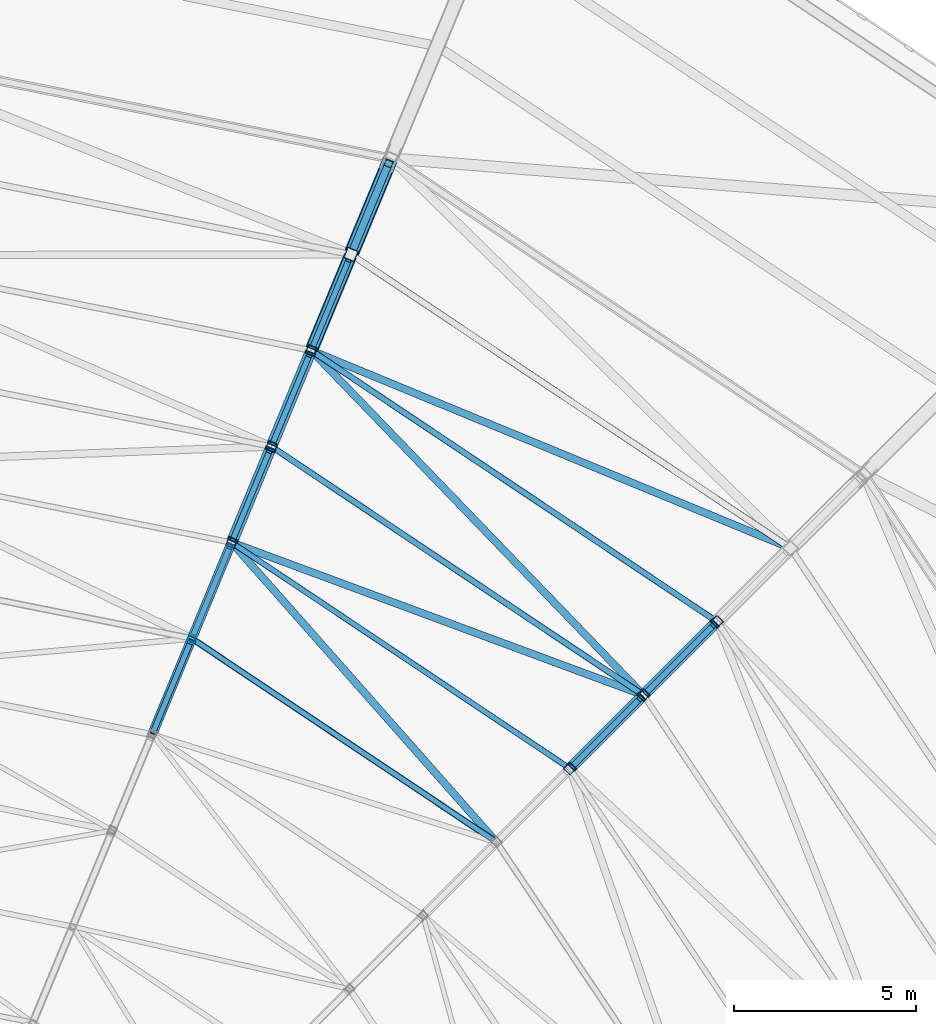
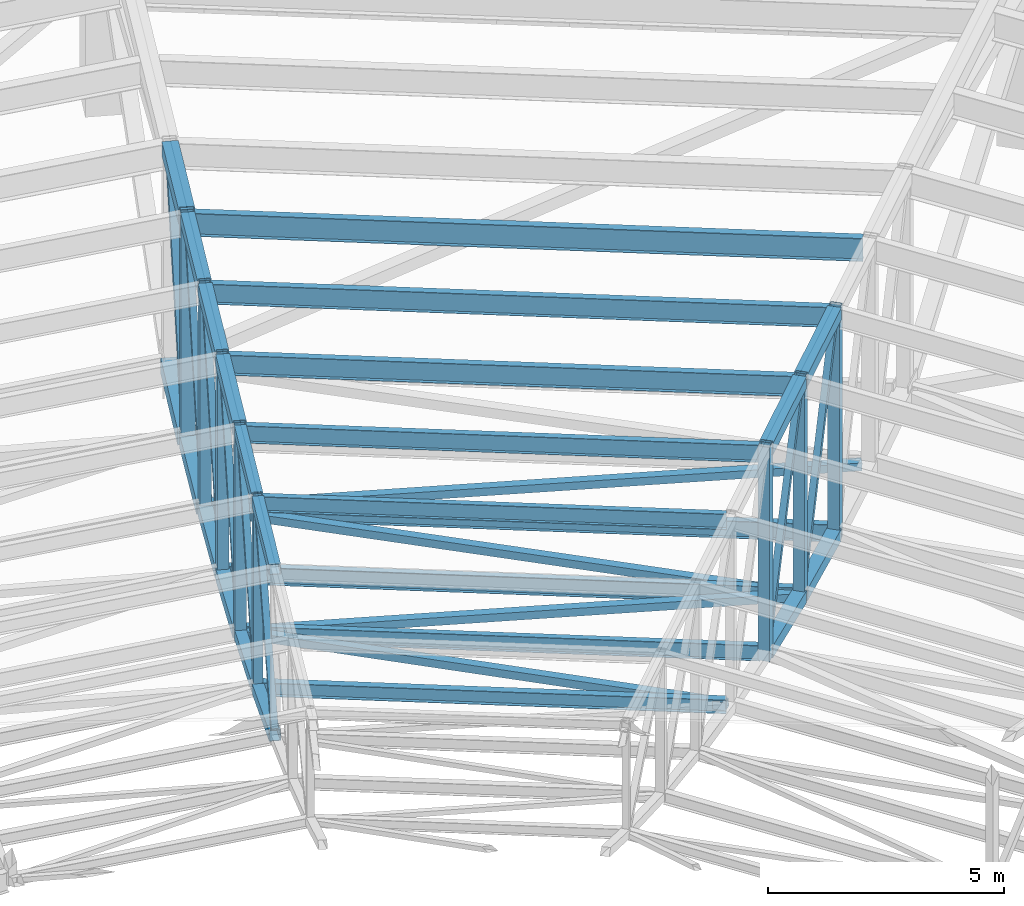
# One storey, part 102 of 278: 24 beams, 21 members.
"""IFC4 building model written with IfcOpenShell, lengths in metres."""

import ifcopenshell
import ifcopenshell.guid

model = None  # the IFC model being written
_history = None  # IfcOwnerHistory: only IFC2X3 demands one
_inside = {}  # id of a spatial element -> (the spatial element, [elements in it])
_under = {}  # id of a project, library or spatial element -> (it, [spatial elements below it])
_declared = {}  # id of a project -> (the project, [libraries it declares])
_typed = {}  # id of a type object -> (the type object, [elements of that type])
_made_of = {}  # id of a material, layer set ... -> (it, [elements and type objects made of it])


def new_model(schema):
    """Start an empty IFC model of exactly this schema.

    Asked for "IFC4X3", IfcOpenShell would pick the latest addendum, in which some entities
    have other attributes; the version numbers below select the first issue.
    IFC2X3 requires an IfcOwnerHistory on every rooted entity: one is made here for all.
    """
    global model, _history
    if schema == "IFC4X3":
        model = ifcopenshell.file(schema_version=(4, 3, 0, 0))
    else:
        model = ifcopenshell.file(schema=schema)
    _inside.clear()
    _under.clear()
    _declared.clear()
    _typed.clear()
    _made_of.clear()
    _history = None
    if model.schema == "IFC2X3":
        org = make("IfcOrganization", Name="unknown")
        user = make(
            "IfcPersonAndOrganization",
            ThePerson=make("IfcPerson", FamilyName="unknown"),
            TheOrganization=org,
        )
        app = make(
            "IfcApplication",
            ApplicationDeveloper=org,
            Version="unknown",
            ApplicationFullName="unknown",
            ApplicationIdentifier="unknown",
        )
        _history = make(
            "IfcOwnerHistory",
            OwningUser=user,
            OwningApplication=app,
            ChangeAction="ADDED",
            CreationDate=0,
        )
    return model


def make(cls, **values):
    """One entity of the class cls with the attributes given. An attribute that is None is left unset."""
    return model.create_entity(
        cls, **{name: value for name, value in values.items() if value is not None}
    )


def rooted(cls, **values):
    """An entity with a GlobalId (a new one), such as an element, a storey or a relation."""
    return make(cls, GlobalId=ifcopenshell.guid.new(), OwnerHistory=_history, **values)


def si_unit(unit_type, name, prefix=None):
    """IfcSIUnit, for example si_unit("LENGTHUNIT", "METRE", prefix="MILLI")."""
    return make("IfcSIUnit", UnitType=unit_type, Prefix=prefix, Name=name)


def assignment(units):
    """IfcUnitAssignment: the units of a project."""
    return None if units is None else make("IfcUnitAssignment", Units=units)


def point(xyz):
    """IfcCartesianPoint."""
    return None if xyz is None else make("IfcCartesianPoint", Coordinates=xyz)


def direction(xyz):
    """IfcDirection."""
    return None if xyz is None else make("IfcDirection", DirectionRatios=xyz)


def frame(location, z_axis=None, x_axis=None):
    """IfcAxis2Placement3D, a coordinate frame: its origin and axes. An axis left out is left unset."""
    return make(
        "IfcAxis2Placement3D",
        Location=point(location),
        Axis=direction(z_axis),
        RefDirection=direction(x_axis),
    )


def frame_2d(location, x_axis=None):
    """IfcAxis2Placement2D, a coordinate frame in the plane: its origin and x axis."""
    return make(
        "IfcAxis2Placement2D", Location=point(location), RefDirection=direction(x_axis)
    )


def origin():
    """The frame at (0, 0, 0) with its axes left unset."""
    return frame((0.0, 0.0, 0.0))


def origin_2d():
    """The frame at (0, 0) in the plane with its x axis left unset."""
    return frame_2d((0.0, 0.0))


def place(relative_to, where):
    """IfcLocalPlacement: puts the frame where relative to a parent placement (None: the world)."""
    return make(
        "IfcLocalPlacement", PlacementRelTo=relative_to, RelativePlacement=where
    )


def context(
    kind, dimensions, precision=None, world=None, true_north=None, identifier=None
):
    """IfcGeometricRepresentationContext, for example the 3D "Model" context."""
    return make(
        "IfcGeometricRepresentationContext",
        ContextIdentifier=identifier,
        ContextType=kind,
        CoordinateSpaceDimension=dimensions,
        Precision=precision,
        WorldCoordinateSystem=world,
        TrueNorth=true_north,
    )


def subcontext(parent, identifier, kind, view, scale=None):
    """IfcGeometricRepresentationSubContext, for example "Body" below "Model"."""
    return make(
        "IfcGeometricRepresentationSubContext",
        ContextIdentifier=identifier,
        ContextType=kind,
        ParentContext=parent,
        TargetScale=scale,
        TargetView=view,
    )


def project(units=None, contexts=None):
    """IfcProject with its units and contexts."""
    return rooted(
        "IfcProject",
        Name="project",
        RepresentationContexts=contexts,
        UnitsInContext=assignment(units),
    )


def spatial(cls, under=None, at=None, **own):
    """A site, building, storey or space (cls), placed at a placement, below another one or the project."""
    s = rooted(cls, ObjectPlacement=at, **own)
    if under is not None:
        _under.setdefault(under.id(), (under, []))[1].append(s)
    return s


def profile(cls, at=None, kind="AREA", **sizes):
    """A parametric profile (cls). Its sizes go by their IFC names, for example OverallWidth=200.0."""
    return make(cls, ProfileType=kind, Position=at, **sizes)


def hollow_rectangle(**sizes):
    """IfcRectangleHollowProfileDef."""
    return profile("IfcRectangleHollowProfileDef", **sizes)


def i_section(**sizes):
    """IfcIShapeProfileDef."""
    return profile("IfcIShapeProfileDef", **sizes)


def extrude(swept, where, along, depth):
    """IfcExtrudedAreaSolid: the profile swept, set in the frame where, extruded along a direction by depth."""
    return make(
        "IfcExtrudedAreaSolid",
        SweptArea=swept,
        Position=where,
        ExtrudedDirection=direction(along),
        Depth=depth,
    )


def shape(context_of_items, identifier, shape_type, items):
    """IfcShapeRepresentation: the items that make up one representation, for example the "Body"."""
    return make(
        "IfcShapeRepresentation",
        ContextOfItems=context_of_items,
        RepresentationIdentifier=identifier,
        RepresentationType=shape_type,
        Items=items,
    )


def material(Name=None, Category=None):
    """IfcMaterial."""
    return make("IfcMaterial", Name=Name, Category=Category)


def material_profile(
    of_material, cross_section, Name=None, Category=None, Priority=None
):
    """IfcMaterialProfile: a cross section and its material."""
    return make(
        "IfcMaterialProfile",
        Name=Name,
        Material=of_material,
        Profile=cross_section,
        Priority=Priority,
        Category=Category,
    )


def profile_set(profiles, Name=None, composite=None):
    """IfcMaterialProfileSet."""
    return make(
        "IfcMaterialProfileSet",
        Name=Name,
        MaterialProfiles=profiles,
        CompositeProfile=composite,
    )


def made_of(thing, what):
    """Note that an element or type object is made of a material, layer set ...; save() writes the relation."""
    if what is not None:
        _made_of.setdefault(what.id(), (what, []))[1].append(thing)
    return thing


def type_object(cls, material=None, **own):
    """A type object (cls), such as IfcWallType, which elements share."""
    return made_of(rooted(cls, **own), material)


def element(
    cls,
    number,
    at=None,
    inside=None,
    cuts=None,
    type_object=None,
    material=None,
    context=None,
    identifier="Body",
    shape_type=None,
    held_by="IfcProductDefinitionShape",
    body=None,
    shapes=None,
    **own,
):
    """One element of the class cls, such as IfcWall. Its Tag is "e" and its number.

    at: its placement. inside: the storey or other place that contains it. cuts: it is an
    opening in that element (IfcRelVoidsElement). A single representation is given by context,
    identifier, shape_type and body (its items); several are given by shapes. held_by: the class
    of the entity that holds the representations. save() writes the other relations.
    """
    e = rooted(cls, Tag="e%d" % number, ObjectPlacement=at, **own)
    if body is not None:
        shapes = [shape(context, identifier, shape_type, body)]
    if shapes is not None:
        e.Representation = make(held_by, Representations=shapes)
    if inside is not None:
        _inside.setdefault(inside.id(), (inside, []))[1].append(e)
    if cuts is not None:
        rooted(
            "IfcRelVoidsElement", RelatingBuildingElement=cuts, RelatedOpeningElement=e
        )
    if type_object is not None:
        _typed.setdefault(type_object.id(), (type_object, []))[1].append(e)
    return made_of(e, material)


def aggregate(whole, parts):
    """IfcRelAggregates: a whole, such as a stair, and the parts it consists of."""
    return rooted("IfcRelAggregates", RelatingObject=whole, RelatedObjects=parts)


def save(model, path):
    """Write the relations noted so far, then the file.

    IfcRelAggregates (storeys below a building ...), IfcRelContainedInSpatialStructure (elements
    in a storey), IfcRelDefinesByType, IfcRelAssociatesMaterial and IfcRelDeclares: one each for
    every whole, place, type object, material and project.
    """
    for whole, parts in _under.values():
        aggregate(whole, parts)
    for where, things in _inside.values():
        rooted(
            "IfcRelContainedInSpatialStructure",
            RelatedElements=things,
            RelatingStructure=where,
        )
    for kind, things in _typed.values():
        rooted("IfcRelDefinesByType", RelatedObjects=things, RelatingType=kind)
    for what, things in _made_of.values():
        rooted("IfcRelAssociatesMaterial", RelatedObjects=things, RelatingMaterial=what)
    for by, libraries in _declared.values():
        rooted("IfcRelDeclares", RelatingContext=by, RelatedDefinitions=libraries)
    model.write(path)


model = new_model("IFC4")

# Units and contexts
model_context = context("Model", 3, precision=1e-05, world=origin(), true_north=direction((0.0, 1.0)))
body_context = subcontext(model_context, "Body", "Model", "MODEL_VIEW")
ifc_project = project(units=[si_unit("LENGTHUNIT", "METRE"), si_unit("AREAUNIT", "SQUARE_METRE"), si_unit("VOLUMEUNIT", "CUBIC_METRE"), si_unit("PLANEANGLEUNIT", "RADIAN"), si_unit("MASSUNIT", "GRAM", prefix="KILO")], contexts=[model_context])

# Site, building, storey
site_placement = place(None, origin())
site = spatial("IfcSite", under=ifc_project, at=site_placement, CompositionType="ELEMENT")
building_placement = place(site_placement, origin())
building = spatial("IfcBuilding", under=site, at=building_placement, Name="Ogive Plaza Stadium", CompositionType="ELEMENT")
storey_placement = place(building_placement, frame((0.0, 0.0, 29.0)))
storey = spatial("IfcBuildingStorey", under=building, at=storey_placement, Name="Roof", CompositionType="ELEMENT", Elevation=29.0)

# Members
ifc_material_1 = material(Name="Steel ASTM A500 Grade C", Category="steel")
ifc_material_profile_1 = material_profile(ifc_material_1, hollow_rectangle(XDim=0.203125, YDim=0.203125, WallThickness=0.0087890625, at=origin_2d()), Name="HSS8X8X3/8")
ifc_profile_set_1 = profile_set([ifc_material_profile_1], Name="Steel ASTM A500 Grade C")
member_type_1 = type_object("IfcMemberType", Name="Roof plan brace HSS8X8X3/8", PredefinedType="BRACE", material=ifc_profile_set_1)
member_1_placement = place(storey_placement, frame((52.15625, 70.766357421875, 1.729248046875), z_axis=(-0.661529433752, 0.748227023619, -0.050350068578), x_axis=(-0.74917725689, -0.662369562827, 0.0)))
element("IfcMember", 1, at=member_1_placement, inside=storey, type_object=member_type_1, Name="ROOF BRACE B38 6", PredefinedType="BRACE", context=body_context, shape_type="SweptSolid", body=[
    extrude(hollow_rectangle(XDim=0.203125, YDim=0.203125, WallThickness=0.0087890625, at=origin_2d()), origin(), (0.0, 0.0, 1.0), 10.740234375),
])
member_2_placement = place(storey_placement, frame((45.039306640625, 78.887939453125, 1.176513671875), z_axis=(0.937056013796, -0.347181209149, -0.037299263035), x_axis=(0.347422966763, 0.937708527297, 0.0)))
element("IfcMember", 2, at=member_2_placement, inside=storey, type_object=member_type_1, Name="ROOF BRACE B38 7", PredefinedType="BRACE", context=body_context, shape_type="SweptSolid", body=[
    extrude(hollow_rectangle(XDim=0.203125, YDim=0.203125, WallThickness=0.0087890625, at=origin_2d()), origin(), (0.0, 0.0, 1.0), 11.794921875),
])
member_3_placement = place(storey_placement, frame((56.169921875, 74.8095703125, 0.728515625), z_axis=(-0.693929788979, 0.719689863912, -0.02253769617), x_axis=(-0.719872715998, -0.694106096185, 0.0)))
element("IfcMember", 3, at=member_3_placement, inside=storey, type_object=member_type_1, Name="ROOF BRACE B38 8", PredefinedType="BRACE", context=body_context, shape_type="SweptSolid", body=[
    extrude(hollow_rectangle(XDim=0.203125, YDim=0.203125, WallThickness=0.0087890625, at=origin_2d()), origin(), (0.0, 0.0, 1.0), 12.8798828125),
])
member_4_placement = place(storey_placement, frame((47.2158203125, 84.152099609375, 0.43359375), z_axis=(0.924408703201, -0.381221848811, -0.011766538784), x_axis=(0.381248241907, 0.924472702703, 0.0)))
element("IfcMember", 4, at=member_4_placement, inside=storey, type_object=member_type_1, Name="ROOF BRACE B38 9", PredefinedType="BRACE", context=body_context, shape_type="SweptSolid", body=[
    extrude(hollow_rectangle(XDim=0.203125, YDim=0.203125, WallThickness=0.0087890625, at=origin_2d()), origin(), (0.0, 0.0, 1.0), 13.943115234375),
])
ifc_material_2 = material(Name="Steel ASTM A992 Grade 50", Category="steel")
ifc_material_profile_2 = material_profile(ifc_material_2, i_section(OverallWidth=0.17138671875, OverallDepth=0.35498046875, WebThickness=0.00732421875, FlangeThickness=0.011474609375, at=origin_2d()), Name="W14X34")
ifc_profile_set_2 = profile_set([ifc_material_profile_2], Name="Steel ASTM A992 Grade 50")
member_type_2 = type_object("IfcMemberType", Name="Roof plan strut W14X34", PredefinedType="STRUT", material=ifc_profile_set_2)
member_5_placement = place(storey_placement, frame((43.929443359375, 76.239501953125, 1.733154296875), z_axis=(0.831467351597, -0.55557361639, 0.0), x_axis=(0.55557361639, 0.831467351597, 0.0)))
element("IfcMember", 5, at=member_5_placement, inside=storey, type_object=member_type_2, Name="ROOF STRUT B38 5", PredefinedType="STRUT", context=body_context, shape_type="SweptSolid", body=[
    extrude(i_section(OverallWidth=0.17138671875, OverallDepth=0.35498046875, WebThickness=0.00732421875, FlangeThickness=0.011474609375, at=origin_2d()), origin(), (0.0, 0.0, 1.0), 9.86572265625),
])
ifc_material_3 = material(Name="Steel ASTM A992 Grade 50", Category="steel")
ifc_material_profile_3 = material_profile(ifc_material_3, i_section(OverallWidth=0.140380859375, OverallDepth=0.4033203125, WebThickness=0.007080078125, FlangeThickness=0.01123046875, at=origin_2d()), Name="W16X31")
ifc_profile_set_3 = profile_set([ifc_material_profile_3], Name="Steel ASTM A992 Grade 50")
member_type_3 = type_object("IfcMemberType", Name="Roof plan strut W16X31", PredefinedType="STRUT", material=ifc_profile_set_3)
member_6_placement = place(storey_placement, frame((45.0390625, 78.85986328125, 1.180419921875), z_axis=(0.831476080974, -0.555560551847, 0.0), x_axis=(0.555560551847, 0.831476080974, 0.0)))
element("IfcMember", 6, at=member_6_placement, inside=storey, type_object=member_type_3, Name="ROOF STRUT B38 6", PredefinedType="STRUT", context=body_context, shape_type="SweptSolid", body=[
    extrude(i_section(OverallWidth=0.140380859375, OverallDepth=0.4033203125, WebThickness=0.007080078125, FlangeThickness=0.01123046875, at=origin_2d()), origin(), (0.0, 0.0, 1.0), 10.93212890625),
])
ifc_material_4 = material(Name="Steel ASTM A992 Grade 50", Category="steel")
ifc_material_profile_4 = material_profile(ifc_material_4, i_section(OverallWidth=0.15234375, OverallDepth=0.449462890625, WebThickness=0.007568359375, FlangeThickness=0.0107421875, at=origin_2d()), Name="W18X35")
ifc_profile_set_4 = profile_set([ifc_material_profile_4], Name="Steel ASTM A992 Grade 50")
member_type_4 = type_object("IfcMemberType", Name="Roof plan strut W18X35", PredefinedType="STRUT", material=ifc_profile_set_4)
member_7_placement = place(storey_placement, frame((46.130615234375, 81.492431640625, 0.730712890625), z_axis=(0.831466560266, -0.555574800687, 0.0), x_axis=(0.555574800687, 0.831466560266, 0.0)))
element("IfcMember", 7, at=member_7_placement, inside=storey, type_object=member_type_4, Name="ROOF STRUT B38 7", PredefinedType="STRUT", context=body_context, shape_type="SweptSolid", body=[
    extrude(i_section(OverallWidth=0.15234375, OverallDepth=0.449462890625, WebThickness=0.007568359375, FlangeThickness=0.0107421875, at=origin_2d()), origin(), (0.0, 0.0, 1.0), 12.0419921875),
])
member_8_placement = place(storey_placement, frame((47.221435546875, 84.12548828125, 0.434814453125), z_axis=(0.831461609697, -0.555582209578, 0.0), x_axis=(0.555582209578, 0.831461609697, 0.0)))
element("IfcMember", 8, at=member_8_placement, inside=storey, type_object=member_type_4, Name="ROOF STRUT B38 8", PredefinedType="STRUT", context=body_context, shape_type="SweptSolid", body=[
    extrude(i_section(OverallWidth=0.15234375, OverallDepth=0.449462890625, WebThickness=0.007568359375, FlangeThickness=0.0107421875, at=origin_2d()), origin(), (0.0, 0.0, 1.0), 13.154052734375),
])
ifc_material_5 = material(Name="Steel ASTM A992 Grade 50", Category="steel")
ifc_material_profile_5 = material_profile(ifc_material_5, i_section(OverallWidth=0.140380859375, OverallDepth=0.4033203125, WebThickness=0.007080078125, FlangeThickness=0.01123046875, at=origin_2d()), Name="W16X31")
ifc_profile_set_5 = profile_set([ifc_material_profile_5], Name="Steel ASTM A992 Grade 50")
member_type_5 = type_object("IfcMemberType", Name="Roof purlin W16X31", PredefinedType="PURLIN", material=ifc_profile_set_5)
member_9_placement = place(storey_placement, frame((43.927001953125, 76.2412109375, 6.5107421875), z_axis=(0.831467715739, -0.555573071416, 0.0), x_axis=(0.555573071416, 0.831467715739, 0.0)))
element("IfcMember", 9, at=member_9_placement, inside=storey, type_object=member_type_5, Name="ROOF PURLIN B38 5", PredefinedType="PURLIN", context=body_context, shape_type="SweptSolid", body=[
    extrude(i_section(OverallWidth=0.140380859375, OverallDepth=0.4033203125, WebThickness=0.007080078125, FlangeThickness=0.01123046875, at=origin_2d()), origin(), (0.0, 0.0, 1.0), 9.8720703125),
])
ifc_material_6 = material(Name="Steel ASTM A992 Grade 50", Category="steel")
ifc_material_profile_6 = material_profile(ifc_material_6, i_section(OverallWidth=0.15234375, OverallDepth=0.449462890625, WebThickness=0.007568359375, FlangeThickness=0.0107421875, at=origin_2d()), Name="W18X35")
ifc_profile_set_6 = profile_set([ifc_material_profile_6], Name="Steel ASTM A992 Grade 50")
member_type_6 = type_object("IfcMemberType", Name="Roof purlin W18X35", PredefinedType="PURLIN", material=ifc_profile_set_6)
member_10_placement = place(storey_placement, frame((45.0400390625, 78.859375, 6.34521484375), z_axis=(0.831462199803, -0.555581326448, 0.0), x_axis=(0.555581326448, 0.831462199803, 0.0)))
element("IfcMember", 10, at=member_10_placement, inside=storey, type_object=member_type_6, Name="ROOF PURLIN B38 6", PredefinedType="PURLIN", context=body_context, shape_type="SweptSolid", body=[
    extrude(i_section(OverallWidth=0.15234375, OverallDepth=0.449462890625, WebThickness=0.007568359375, FlangeThickness=0.0107421875, at=origin_2d()), origin(), (0.0, 0.0, 1.0), 10.929931640625),
])
ifc_material_7 = material(Name="Steel ASTM A992 Grade 50", Category="steel")
ifc_material_profile_7 = material_profile(ifc_material_7, i_section(OverallWidth=0.1650390625, OverallDepth=0.524658203125, WebThickness=0.0087890625, FlangeThickness=0.011474609375, at=origin_2d()), Name="W21X44")
ifc_profile_set_7 = profile_set([ifc_material_profile_7], Name="Steel ASTM A992 Grade 50")
member_type_7 = type_object("IfcMemberType", Name="Roof purlin W21X44", PredefinedType="PURLIN", material=ifc_profile_set_7)
member_11_placement = place(storey_placement, frame((46.1318359375, 81.49169921875, 6.1650390625), z_axis=(0.831466432125, -0.555574992462, 0.0), x_axis=(0.555574992462, 0.831466432125, 0.0)))
element("IfcMember", 11, at=member_11_placement, inside=storey, type_object=member_type_7, Name="ROOF PURLIN B38 7", PredefinedType="PURLIN", context=body_context, shape_type="SweptSolid", body=[
    extrude(i_section(OverallWidth=0.1650390625, OverallDepth=0.524658203125, WebThickness=0.0087890625, FlangeThickness=0.011474609375, at=origin_2d()), origin(), (0.0, 0.0, 1.0), 12.039306640625),
])
member_12_placement = place(storey_placement, frame((47.222412109375, 84.124755859375, 6.022705078125), z_axis=(0.831467221436, -0.555573811188, 0.0), x_axis=(0.555573811188, 0.831467221436, 0.0)))
element("IfcMember", 12, at=member_12_placement, inside=storey, type_object=member_type_7, Name="ROOF PURLIN B38 8", PredefinedType="PURLIN", context=body_context, shape_type="SweptSolid", body=[
    extrude(i_section(OverallWidth=0.1650390625, OverallDepth=0.524658203125, WebThickness=0.0087890625, FlangeThickness=0.011474609375, at=origin_2d()), origin(), (0.0, 0.0, 1.0), 13.151611328125),
])
ifc_material_8 = material(Name="Steel ASTM A992 Grade 50", Category="steel")
ifc_material_profile_8 = material_profile(ifc_material_8, i_section(OverallWidth=0.177978515625, OverallDepth=0.5986328125, WebThickness=0.010009765625, FlangeThickness=0.012939453125, at=origin_2d()), Name="W24X55")
ifc_profile_set_8 = profile_set([ifc_material_profile_8], Name="Steel ASTM A992 Grade 50")
member_type_8 = type_object("IfcMemberType", Name="Roof purlin W24X55", PredefinedType="PURLIN", material=ifc_profile_set_8)
member_13_placement = place(storey_placement, frame((48.335693359375, 86.74267578125, 5.84326171875), z_axis=(0.831465648913, -0.555576164606, 0.0), x_axis=(0.555576164606, 0.831465648913, 0.0)))
element("IfcMember", 13, at=member_13_placement, inside=storey, type_object=member_type_8, Name="ROOF PURLIN B38 9", PredefinedType="PURLIN", context=body_context, shape_type="SweptSolid", body=[
    extrude(i_section(OverallWidth=0.177978515625, OverallDepth=0.5986328125, WebThickness=0.010009765625, FlangeThickness=0.012939453125, at=origin_2d()), origin(), (0.0, 0.0, 1.0), 14.209228515625),
])

# Beams
ifc_material_9 = material(Name="Steel ASTM A500 Grade C", Category="steel")
ifc_material_profile_9 = material_profile(ifc_material_9, hollow_rectangle(XDim=0.25390625, YDim=0.25390625, WallThickness=0.01171875, at=origin_2d()), Name="HSS10X10X1/2")
ifc_profile_set_9 = profile_set([ifc_material_profile_9], Name="Steel ASTM A500 Grade C")
beam_type_1 = type_object("IfcBeamType", Name="Roof truss bottom chord HSS10X10X1/2", PredefinedType="BEAM", material=ifc_profile_set_9)
beam_1_placement = place(storey_placement, frame((42.779541015625, 73.695556640625, 2.433349609375), z_axis=(0.371439859665, 0.89673257633, -0.240630665544), x_axis=(-0.923879144677, 0.382684368678, 0.0)))
element("IfcBeam", 14, at=beam_1_placement, inside=storey, type_object=beam_type_1, Name="ROOF TRUSS T38 BOTTOM CHORD 5", PredefinedType="BEAM", context=body_context, shape_type="SweptSolid", body=[
    extrude(hollow_rectangle(XDim=0.25390625, YDim=0.25390625, WallThickness=0.01171875, at=origin_2d()), origin(), (0.0, 0.0, 1.0), 2.849853515625),
])
beam_2_placement = place(storey_placement, frame((43.8720703125, 76.333251953125, 1.726318359375), z_axis=(0.375020513968, 0.905437709043, -0.198852128843), x_axis=(-0.923888213913, 0.382662472935, 0.0)))
element("IfcBeam", 15, at=beam_2_placement, inside=storey, type_object=beam_type_1, Name="ROOF TRUSS T38 BOTTOM CHORD 6", PredefinedType="BEAM", context=body_context, shape_type="SweptSolid", body=[
    extrude(hollow_rectangle(XDim=0.25390625, YDim=0.25390625, WallThickness=0.01171875, at=origin_2d()), origin(), (0.0, 0.0, 1.0), 2.80908203125),
])
ifc_material_10 = material(Name="Steel ASTM A500 Grade C", Category="steel")
ifc_material_profile_10 = material_profile(ifc_material_10, hollow_rectangle(XDim=0.3046875, YDim=0.3046875, WallThickness=0.0146484375, at=origin_2d()), Name="HSS12X12X5/8")
ifc_profile_set_10 = profile_set([ifc_material_profile_10], Name="Steel ASTM A500 Grade C")
beam_type_2 = type_object("IfcBeamType", Name="Roof truss bottom chord HSS12X12X5/8", PredefinedType="BEAM", material=ifc_profile_set_10)
beam_3_placement = place(storey_placement, frame((44.9638671875, 78.96923828125, 1.17431640625), z_axis=(0.378060038258, 0.912570809119, -0.15583685641), x_axis=(-0.923857757469, 0.382735997737, 0.0)))
element("IfcBeam", 16, at=beam_3_placement, inside=storey, type_object=beam_type_2, Name="ROOF TRUSS T38 BOTTOM CHORD 7", PredefinedType="BEAM", context=body_context, shape_type="SweptSolid", body=[
    extrude(hollow_rectangle(XDim=0.3046875, YDim=0.3046875, WallThickness=0.0146484375, at=origin_2d()), origin(), (0.0, 0.0, 1.0), 2.783935546875),
])
beam_4_placement = place(storey_placement, frame((46.054443359375, 81.602294921875, 0.72607421875), z_axis=(0.380326079208, 0.918040635639, -0.112042245557), x_axis=(-0.923857757469, 0.382735997737, 0.0)))
element("IfcBeam", 17, at=beam_4_placement, inside=storey, type_object=beam_type_2, Name="ROOF TRUSS T38 BOTTOM CHORD 8", PredefinedType="BEAM", context=body_context, shape_type="SweptSolid", body=[
    extrude(hollow_rectangle(XDim=0.3046875, YDim=0.3046875, WallThickness=0.0146484375, at=origin_2d()), origin(), (0.0, 0.0, 1.0), 2.767333984375),
])
beam_5_placement = place(storey_placement, frame((54.258544921875, 72.758544921875, 1.17431640625), z_axis=(0.698468783112, 0.698468783112, -0.155829130896), x_axis=(-0.707106781187, 0.707106781187, 0.0)))
element("IfcBeam", 18, at=beam_5_placement, inside=storey, type_object=beam_type_2, Name="ROOF TRUSS T39 BOTTOM CHORD 7", PredefinedType="BEAM", context=body_context, shape_type="SweptSolid", body=[
    extrude(hollow_rectangle(XDim=0.3046875, YDim=0.3046875, WallThickness=0.0146484375, at=origin_2d()), origin(), (0.0, 0.0, 1.0), 2.7841796875),
])
beam_6_placement = place(storey_placement, frame((56.27392578125, 74.77392578125, 0.72607421875), z_axis=(0.702654892107, 0.702654892107, -0.112036624354), x_axis=(-0.707106781187, 0.707106781187, 0.0)))
element("IfcBeam", 19, at=beam_6_placement, inside=storey, type_object=beam_type_2, Name="ROOF TRUSS T39 BOTTOM CHORD 8", PredefinedType="BEAM", context=body_context, shape_type="SweptSolid", body=[
    extrude(hollow_rectangle(XDim=0.3046875, YDim=0.3046875, WallThickness=0.0146484375, at=origin_2d()), origin(), (0.0, 0.0, 1.0), 2.767578125),
])
ifc_material_11 = material(Name="Steel ASTM A500 Grade C", Category="steel")
ifc_material_profile_11 = material_profile(ifc_material_11, hollow_rectangle(XDim=0.355712890625, YDim=0.355712890625, WallThickness=0.0146484375, at=origin_2d()), Name="HSS14X14X5/8")
ifc_profile_set_11 = profile_set([ifc_material_profile_11], Name="Steel ASTM A500 Grade C")
beam_type_3 = type_object("IfcBeamType", Name="Roof truss bottom chord HSS14X14X5/8", PredefinedType="BEAM", material=ifc_profile_set_11)
beam_7_placement = place(storey_placement, frame((47.145263671875, 84.2353515625, 0.431884765625), z_axis=(0.381787492455, 0.92178205255, -0.067499320012), x_axis=(-0.923889147914, 0.382660217904, 0.0)))
element("IfcBeam", 20, at=beam_7_placement, inside=storey, type_object=beam_type_3, Name="ROOF TRUSS T38 BOTTOM CHORD 9", PredefinedType="BEAM", context=body_context, shape_type="SweptSolid", body=[
    extrude(hollow_rectangle(XDim=0.355712890625, YDim=0.355712890625, WallThickness=0.0146484375, at=origin_2d()), origin(), (0.0, 0.0, 1.0), 2.756103515625),
])
ifc_material_12 = material(Name="Steel ASTM A500 Grade C", Category="steel")
ifc_material_profile_12 = material_profile(ifc_material_12, hollow_rectangle(XDim=0.406494140625, YDim=0.406494140625, WallThickness=0.0146484375, at=origin_2d()), Name="HSS16X16X5/8")
ifc_profile_set_12 = profile_set([ifc_material_profile_12], Name="Steel ASTM A500 Grade C")
beam_type_4 = type_object("IfcBeamType", Name="Roof truss bottom chord HSS16X16X5/8", PredefinedType="BEAM", material=ifc_profile_set_12)
beam_8_placement = place(storey_placement, frame((48.23583984375, 86.868408203125, 0.266357421875), z_axis=(0.382562952761, 0.923654312396, -0.022545473318), x_axis=(-0.923889147914, 0.382660217904, 0.0)))
element("IfcBeam", 21, at=beam_8_placement, inside=storey, type_object=beam_type_4, Name="ROOF TRUSS T38 BOTTOM CHORD 10", PredefinedType="BEAM", context=body_context, shape_type="SweptSolid", body=[
    extrude(hollow_rectangle(XDim=0.406494140625, YDim=0.406494140625, WallThickness=0.0146484375, at=origin_2d()), origin(), (0.0, 0.0, 1.0), 2.75048828125),
])

# Members
ifc_material_13 = material(Name="Steel ASTM A500 Grade C", Category="steel")
ifc_material_profile_13 = material_profile(ifc_material_13, hollow_rectangle(XDim=0.15234375, YDim=0.15234375, WallThickness=0.005859375, at=origin_2d()), Name="HSS6X6X1/4")
ifc_profile_set_13 = profile_set([ifc_material_profile_13], Name="Steel ASTM A500 Grade C")
member_type_9 = type_object("IfcMemberType", Name="Roof truss diagonal HSS6X6X1/4", PredefinedType="BRACE", material=ifc_profile_set_13)
member_14_placement = place(storey_placement, frame((42.80224609375, 73.750732421875, 2.56689453125), z_axis=(0.215226146856, 0.519572207016, 0.826875097827), x_axis=(-0.923871804697, 0.382702088427, 0.0)))
element("IfcMember", 22, at=member_14_placement, inside=storey, type_object=member_type_9, Name="ROOF TRUSS T38 DIAGONAL 5", PredefinedType="BRACE", context=body_context, shape_type="SweptSolid", body=[
    extrude(hollow_rectangle(XDim=0.15234375, YDim=0.15234375, WallThickness=0.005859375, at=origin_2d()), origin(), (0.0, 0.0, 1.0), 4.706298828125),
])
ifc_material_14 = material(Name="Steel ASTM A500 Grade C", Category="steel")
ifc_material_profile_14 = material_profile(ifc_material_14, hollow_rectangle(XDim=0.15234375, YDim=0.15234375, WallThickness=0.0087890625, at=origin_2d()), Name="HSS6X6X3/8")
ifc_profile_set_14 = profile_set([ifc_material_profile_14], Name="Steel ASTM A500 Grade C")
member_type_10 = type_object("IfcMemberType", Name="Roof truss diagonal HSS6X6X3/8", PredefinedType="BRACE", material=ifc_profile_set_14)
member_15_placement = place(storey_placement, frame((43.89306640625, 76.3837890625, 1.8603515625), z_axis=(0.194055612203, 0.468491524227, 0.861892169067), x_axis=(-0.923879484396, 0.382683548526, 0.0)))
element("IfcMember", 23, at=member_15_placement, inside=storey, type_object=member_type_10, Name="ROOF TRUSS T38 DIAGONAL 6", PredefinedType="BRACE", context=body_context, shape_type="SweptSolid", body=[
    extrude(hollow_rectangle(XDim=0.15234375, YDim=0.15234375, WallThickness=0.0087890625, at=origin_2d()), origin(), (0.0, 0.0, 1.0), 5.16943359375),
])
member_16_placement = place(storey_placement, frame((44.993408203125, 79.040283203125, 1.332763671875), z_axis=(0.18233402805, 0.440218602007, 0.879182509302), x_axis=(-0.923887313935, 0.382664645806, 0.0)))
element("IfcMember", 24, at=member_16_placement, inside=storey, type_object=member_type_10, Name="ROOF TRUSS T38 DIAGONAL 7", PredefinedType="BRACE", context=body_context, shape_type="SweptSolid", body=[
    extrude(hollow_rectangle(XDim=0.15234375, YDim=0.15234375, WallThickness=0.0087890625, at=origin_2d()), origin(), (0.0, 0.0, 1.0), 5.4482421875),
])
member_17_placement = place(storey_placement, frame((46.083984375, 81.67333984375, 0.883056640625), z_axis=(0.17366723306, 0.419293904541, 0.891084908287), x_axis=(-0.923887313935, 0.382664645806, 0.0)))
element("IfcMember", 25, at=member_17_placement, inside=storey, type_object=member_type_10, Name="ROOF TRUSS T38 DIAGONAL 8", PredefinedType="BRACE", context=body_context, shape_type="SweptSolid", body=[
    extrude(hollow_rectangle(XDim=0.15234375, YDim=0.15234375, WallThickness=0.0087890625, at=origin_2d()), origin(), (0.0, 0.0, 1.0), 5.72021484375),
])
member_18_placement = place(storey_placement, frame((47.174560546875, 84.306396484375, 0.612548828125), z_axis=(0.168958194197, 0.407847472246, 0.897281208984), x_axis=(-0.923861720222, 0.382726432205, 0.0)))
element("IfcMember", 26, at=member_18_placement, inside=storey, type_object=member_type_10, Name="ROOF TRUSS T38 DIAGONAL 9", PredefinedType="BRACE", context=body_context, shape_type="SweptSolid", body=[
    extrude(hollow_rectangle(XDim=0.15234375, YDim=0.15234375, WallThickness=0.0087890625, at=origin_2d()), origin(), (0.0, 0.0, 1.0), 5.8232421875),
])
member_19_placement = place(storey_placement, frame((54.31298828125, 72.81298828125, 1.332763671875), z_axis=(0.336929331101, 0.336929331101, 0.879179874478), x_axis=(-0.707106781187, 0.707106781187, 0.0)))
element("IfcMember", 27, at=member_19_placement, inside=storey, type_object=member_type_10, Name="ROOF TRUSS T39 DIAGONAL 7", PredefinedType="BRACE", context=body_context, shape_type="SweptSolid", body=[
    extrude(hollow_rectangle(XDim=0.15234375, YDim=0.15234375, WallThickness=0.0087890625, at=origin_2d()), origin(), (0.0, 0.0, 1.0), 5.4482421875),
])
member_20_placement = place(storey_placement, frame((56.328369140625, 74.828369140625, 0.883056640625), z_axis=(0.320914321747, 0.320914321747, 0.891082485629), x_axis=(-0.707106781187, 0.707106781187, 0.0)))
element("IfcMember", 28, at=member_20_placement, inside=storey, type_object=member_type_10, Name="ROOF TRUSS T39 DIAGONAL 8", PredefinedType="BRACE", context=body_context, shape_type="SweptSolid", body=[
    extrude(hollow_rectangle(XDim=0.15234375, YDim=0.15234375, WallThickness=0.0087890625, at=origin_2d()), origin(), (0.0, 0.0, 1.0), 5.72021484375),
])
ifc_material_15 = material(Name="Steel ASTM A500 Grade C", Category="steel")
ifc_material_profile_15 = material_profile(ifc_material_15, hollow_rectangle(XDim=0.203125, YDim=0.203125, WallThickness=0.0087890625, at=origin_2d()), Name="HSS8X8X3/8")
ifc_profile_set_15 = profile_set([ifc_material_profile_15], Name="Steel ASTM A500 Grade C")
member_type_11 = type_object("IfcMemberType", Name="Roof truss diagonal HSS8X8X3/8", PredefinedType="BRACE", material=ifc_profile_set_15)
member_21_placement = place(storey_placement, frame((48.27490234375, 86.962890625, 0.470703125), z_axis=(0.168947413355, 0.407844983819, 0.897284370027), x_axis=(-0.923869529365, 0.382707581205, 0.0)))
element("IfcMember", 29, at=member_21_placement, inside=storey, type_object=member_type_11, Name="ROOF TRUSS T38 DIAGONAL 10", PredefinedType="BRACE", context=body_context, shape_type="SweptSolid", body=[
    extrude(hollow_rectangle(XDim=0.203125, YDim=0.203125, WallThickness=0.0087890625, at=origin_2d()), origin(), (0.0, 0.0, 1.0), 5.765869140625),
])

# Beams
ifc_material_16 = material(Name="Steel ASTM A500 Grade C", Category="steel")
ifc_material_profile_16 = material_profile(ifc_material_16, hollow_rectangle(XDim=0.25390625, YDim=0.25390625, WallThickness=0.01171875, at=origin_2d()), Name="HSS10X10X1/2")
ifc_profile_set_16 = profile_set([ifc_material_profile_16], Name="Steel ASTM A500 Grade C")
beam_type_5 = type_object("IfcBeamType", Name="Roof truss post HSS10X10X1/2", PredefinedType="BEAM", material=ifc_profile_set_16)
beam_9_placement = place(storey_placement, frame((44.94482421875, 78.9228515625, 1.028076171875), z_axis=(0.0, 0.0, 1.0), x_axis=(-0.923879532511, 0.382683432365, 0.0)))
element("IfcBeam", 30, at=beam_9_placement, inside=storey, type_object=beam_type_5, Name="ROOF TRUSS T38 POST 7", PredefinedType="BEAM", context=body_context, shape_type="SweptSolid", body=[
    extrude(hollow_rectangle(XDim=0.25390625, YDim=0.25390625, WallThickness=0.01171875, at=origin_2d()), origin(), (0.0, 0.0, 1.0), 5.5419921875),
])
beam_10_placement = place(storey_placement, frame((46.035400390625, 81.555908203125, 0.578369140625), z_axis=(0.0, 0.0, 1.0), x_axis=(-0.923879532511, 0.382683432365, 0.0)))
element("IfcBeam", 31, at=beam_10_placement, inside=storey, type_object=beam_type_5, Name="ROOF TRUSS T38 POST 8", PredefinedType="BEAM", context=body_context, shape_type="SweptSolid", body=[
    extrude(hollow_rectangle(XDim=0.25390625, YDim=0.25390625, WallThickness=0.01171875, at=origin_2d()), origin(), (0.0, 0.0, 1.0), 5.84912109375),
])
beam_11_placement = place(storey_placement, frame((47.1259765625, 84.18896484375, 0.257080078125), z_axis=(0.0, 0.0, 1.0), x_axis=(-0.923879532511, 0.382683432365, 0.0)))
element("IfcBeam", 32, at=beam_11_placement, inside=storey, type_object=beam_type_5, Name="ROOF TRUSS T38 POST 9", PredefinedType="BEAM", context=body_context, shape_type="SweptSolid", body=[
    extrude(hollow_rectangle(XDim=0.25390625, YDim=0.25390625, WallThickness=0.01171875, at=origin_2d()), origin(), (0.0, 0.0, 1.0), 6.02783203125),
])
beam_12_placement = place(storey_placement, frame((54.22314453125, 72.72314453125, 1.028076171875), z_axis=(0.0, 0.0, 1.0), x_axis=(-0.707106781187, 0.707106781187, 0.0)))
element("IfcBeam", 33, at=beam_12_placement, inside=storey, type_object=beam_type_5, Name="ROOF TRUSS T39 POST 7", PredefinedType="BEAM", context=body_context, shape_type="SweptSolid", body=[
    extrude(hollow_rectangle(XDim=0.25390625, YDim=0.25390625, WallThickness=0.01171875, at=origin_2d()), origin(), (0.0, 0.0, 1.0), 5.5419921875),
])
beam_13_placement = place(storey_placement, frame((56.238525390625, 74.738525390625, 0.578369140625), z_axis=(0.0, 0.0, 1.0), x_axis=(-0.707106781187, 0.707106781187, 0.0)))
element("IfcBeam", 34, at=beam_13_placement, inside=storey, type_object=beam_type_5, Name="ROOF TRUSS T39 POST 8", PredefinedType="BEAM", context=body_context, shape_type="SweptSolid", body=[
    extrude(hollow_rectangle(XDim=0.25390625, YDim=0.25390625, WallThickness=0.01171875, at=origin_2d()), origin(), (0.0, 0.0, 1.0), 5.84912109375),
])
beam_14_placement = place(storey_placement, frame((58.253662109375, 76.753662109375, 0.257080078125), z_axis=(0.0, 0.0, 1.0), x_axis=(-0.707106781187, 0.707106781187, 0.0)))
element("IfcBeam", 35, at=beam_14_placement, inside=storey, type_object=beam_type_5, Name="ROOF TRUSS T39 POST 9", PredefinedType="BEAM", context=body_context, shape_type="SweptSolid", body=[
    extrude(hollow_rectangle(XDim=0.25390625, YDim=0.25390625, WallThickness=0.01171875, at=origin_2d()), origin(), (0.0, 0.0, 1.0), 6.02783203125),
])
ifc_material_17 = material(Name="Steel ASTM A500 Grade C", Category="steel")
ifc_material_profile_17 = material_profile(ifc_material_17, hollow_rectangle(XDim=0.3046875, YDim=0.3046875, WallThickness=0.01171875, at=origin_2d()), Name="HSS12X12X1/2")
ifc_profile_set_17 = profile_set([ifc_material_profile_17], Name="Steel ASTM A500 Grade C")
beam_type_6 = type_object("IfcBeamType", Name="Roof truss post HSS12X12X1/2", PredefinedType="BEAM", material=ifc_profile_set_17)
beam_15_placement = place(storey_placement, frame((48.216796875, 86.822021484375, 0.064208984375), z_axis=(0.0, 0.0, 1.0), x_axis=(-0.923879532511, 0.382683432365, 0.0)))
element("IfcBeam", 36, at=beam_15_placement, inside=storey, type_object=beam_type_6, Name="ROOF TRUSS T38 POST 10", PredefinedType="BEAM", context=body_context, shape_type="SweptSolid", body=[
    extrude(hollow_rectangle(XDim=0.3046875, YDim=0.3046875, WallThickness=0.01171875, at=origin_2d()), origin(), (0.0, 0.0, 1.0), 6.078369140625),
])
ifc_material_18 = material(Name="Steel ASTM A500 Grade C", Category="steel")
ifc_material_profile_18 = material_profile(ifc_material_18, hollow_rectangle(XDim=0.203125, YDim=0.203125, WallThickness=0.0087890625, at=origin_2d()), Name="HSS8X8X3/8")
ifc_profile_set_18 = profile_set([ifc_material_profile_18], Name="Steel ASTM A500 Grade C")
beam_type_7 = type_object("IfcBeamType", Name="Roof truss post HSS8X8X3/8", PredefinedType="BEAM", material=ifc_profile_set_18)
beam_16_placement = place(storey_placement, frame((43.85400390625, 76.289794921875, 1.606201171875), z_axis=(0.0, 0.0, 1.0), x_axis=(-0.923879532511, 0.382683432365, 0.0)))
element("IfcBeam", 37, at=beam_16_placement, inside=storey, type_object=beam_type_7, Name="ROOF TRUSS T38 POST 6", PredefinedType="BEAM", context=body_context, shape_type="SweptSolid", body=[
    extrude(hollow_rectangle(XDim=0.203125, YDim=0.203125, WallThickness=0.0087890625, at=origin_2d()), origin(), (0.0, 0.0, 1.0), 5.106201171875),
])
ifc_material_19 = material(Name="Steel ASTM A500 Grade C", Category="steel")
ifc_material_profile_19 = material_profile(ifc_material_19, hollow_rectangle(XDim=0.25390625, YDim=0.25390625, WallThickness=0.0087890625, at=origin_2d()), Name="HSS10X10X3/8")
ifc_profile_set_19 = profile_set([ifc_material_profile_19], Name="Steel ASTM A500 Grade C")
beam_type_8 = type_object("IfcBeamType", Name="Roof truss top chord HSS10X10X3/8", PredefinedType="BEAM", material=ifc_profile_set_19)
beam_17_placement = place(storey_placement, frame((42.782470703125, 73.703125, 6.725341796875), z_axis=(0.382258780814, 0.922705839284, -0.049921524843), x_axis=(-0.923857757469, 0.382735997737, 0.0)))
element("IfcBeam", 38, at=beam_17_placement, inside=storey, type_object=beam_type_8, Name="ROOF TRUSS T38 TOP CHORD 5", PredefinedType="BEAM", context=body_context, shape_type="SweptSolid", body=[
    extrude(hollow_rectangle(XDim=0.25390625, YDim=0.25390625, WallThickness=0.0087890625, at=origin_2d()), origin(), (0.0, 0.0, 1.0), 2.75341796875),
])
beam_18_placement = place(storey_placement, frame((43.873291015625, 76.336181640625, 6.582763671875), z_axis=(0.382183063105, 0.922737112453, -0.049923216828), x_axis=(-0.923889147914, 0.382660217904, 0.0)))
element("IfcBeam", 39, at=beam_18_placement, inside=storey, type_object=beam_type_8, Name="ROOF TRUSS T38 TOP CHORD 6", PredefinedType="BEAM", context=body_context, shape_type="SweptSolid", body=[
    extrude(hollow_rectangle(XDim=0.25390625, YDim=0.25390625, WallThickness=0.0087890625, at=origin_2d()), origin(), (0.0, 0.0, 1.0), 2.753173828125),
])
ifc_material_20 = material(Name="Steel ASTM A500 Grade C", Category="steel")
ifc_material_profile_20 = material_profile(ifc_material_20, hollow_rectangle(XDim=0.3046875, YDim=0.3046875, WallThickness=0.01171875, at=origin_2d()), Name="HSS12X12X1/2")
ifc_profile_set_20 = profile_set([ifc_material_profile_20], Name="Steel ASTM A500 Grade C")
beam_type_9 = type_object("IfcBeamType", Name="Roof truss top chord HSS12X12X1/2", PredefinedType="BEAM", material=ifc_profile_set_20)
beam_19_placement = place(storey_placement, frame((47.145263671875, 84.2353515625, 6.1298828125), z_axis=(0.382183063105, 0.922737112453, -0.049923216828), x_axis=(-0.923889147914, 0.382660217904, 0.0)))
element("IfcBeam", 40, at=beam_19_placement, inside=storey, type_object=beam_type_9, Name="ROOF TRUSS T38 TOP CHORD 9", PredefinedType="BEAM", context=body_context, shape_type="SweptSolid", body=[
    extrude(hollow_rectangle(XDim=0.3046875, YDim=0.3046875, WallThickness=0.01171875, at=origin_2d()), origin(), (0.0, 0.0, 1.0), 2.753173828125),
])
ifc_material_21 = material(Name="Steel ASTM A500 Grade C", Category="steel")
ifc_material_profile_21 = material_profile(ifc_material_21, hollow_rectangle(XDim=0.3046875, YDim=0.3046875, WallThickness=0.0087890625, at=origin_2d()), Name="HSS12X12X3/8")
ifc_profile_set_21 = profile_set([ifc_material_profile_21], Name="Steel ASTM A500 Grade C")
beam_type_10 = type_object("IfcBeamType", Name="Roof truss top chord HSS12X12X3/8", PredefinedType="BEAM", material=ifc_profile_set_21)
for number, where, z_axis, x_axis, name in (
    (41, (44.9638671875, 78.96923828125, 6.414794921875), (0.382258780814, 0.922705839284, -0.049921524843), (-0.923857757469, 0.382735997737, 0.0), "ROOF TRUSS T38 TOP CHORD 7"),
    (42, (46.054443359375, 81.602294921875, 6.2724609375), (0.382258780814, 0.922705839284, -0.049921524843), (-0.923857757469, 0.382735997737, 0.0), "ROOF TRUSS T38 TOP CHORD 8"),
    (43, (54.258544921875, 72.758544921875, 6.414794921875), (0.706225209818, 0.706225209818, -0.049918994743), (-0.707106781187, 0.707106781187, 0.0), "ROOF TRUSS T39 TOP CHORD 7"),
    (44, (56.27392578125, 74.77392578125, 6.2724609375), (0.706225209818, 0.706225209818, -0.049918994743), (-0.707106781187, 0.707106781187, 0.0), "ROOF TRUSS T39 TOP CHORD 8"),
):
    element("IfcBeam", number, at=place(storey_placement, frame(where, z_axis=z_axis, x_axis=x_axis)), inside=storey, type_object=beam_type_10, Name=name, PredefinedType="BEAM", context=body_context, shape_type="SweptSolid", body=[
        extrude(hollow_rectangle(XDim=0.3046875, YDim=0.3046875, WallThickness=0.0087890625, at=origin_2d()), origin(), (0.0, 0.0, 1.0), 2.75341796875),
    ])
ifc_material_22 = material(Name="Steel ASTM A500 Grade C", Category="steel")
ifc_material_profile_22 = material_profile(ifc_material_22, hollow_rectangle(XDim=0.355712890625, YDim=0.355712890625, WallThickness=0.01171875, at=origin_2d()), Name="HSS14X14X1/2")
ifc_profile_set_22 = profile_set([ifc_material_profile_22], Name="Steel ASTM A500 Grade C")
beam_type_11 = type_object("IfcBeamType", Name="Roof truss top chord HSS14X14X1/2", PredefinedType="BEAM", material=ifc_profile_set_22)
beam_20_placement = place(storey_placement, frame((48.23583984375, 86.868408203125, 5.9619140625), z_axis=(0.382183063105, 0.922737112453, -0.049923216828), x_axis=(-0.923889147914, 0.382660217904, 0.0)))
element("IfcBeam", 45, at=beam_20_placement, inside=storey, type_object=beam_type_11, Name="ROOF TRUSS T38 TOP CHORD 10", PredefinedType="BEAM", context=body_context, shape_type="SweptSolid", body=[
    extrude(hollow_rectangle(XDim=0.355712890625, YDim=0.355712890625, WallThickness=0.01171875, at=origin_2d()), origin(), (0.0, 0.0, 1.0), 2.753173828125),
])

save(model, "model.ifc")
